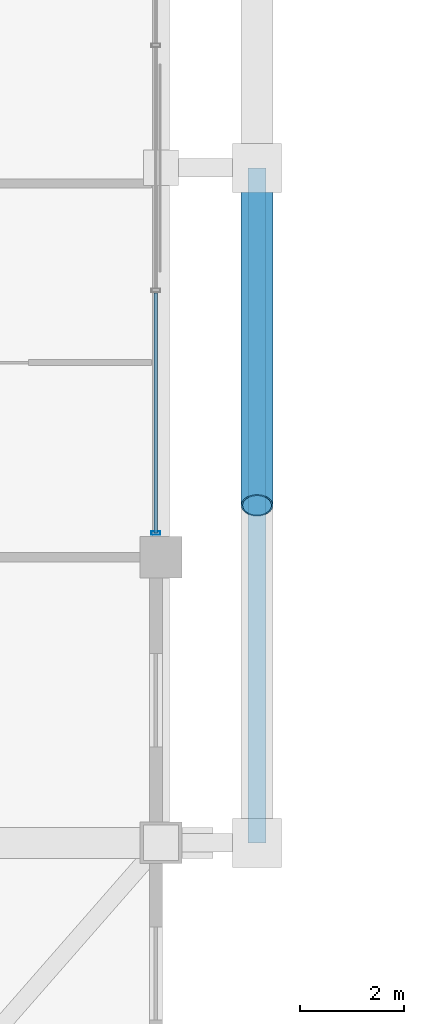
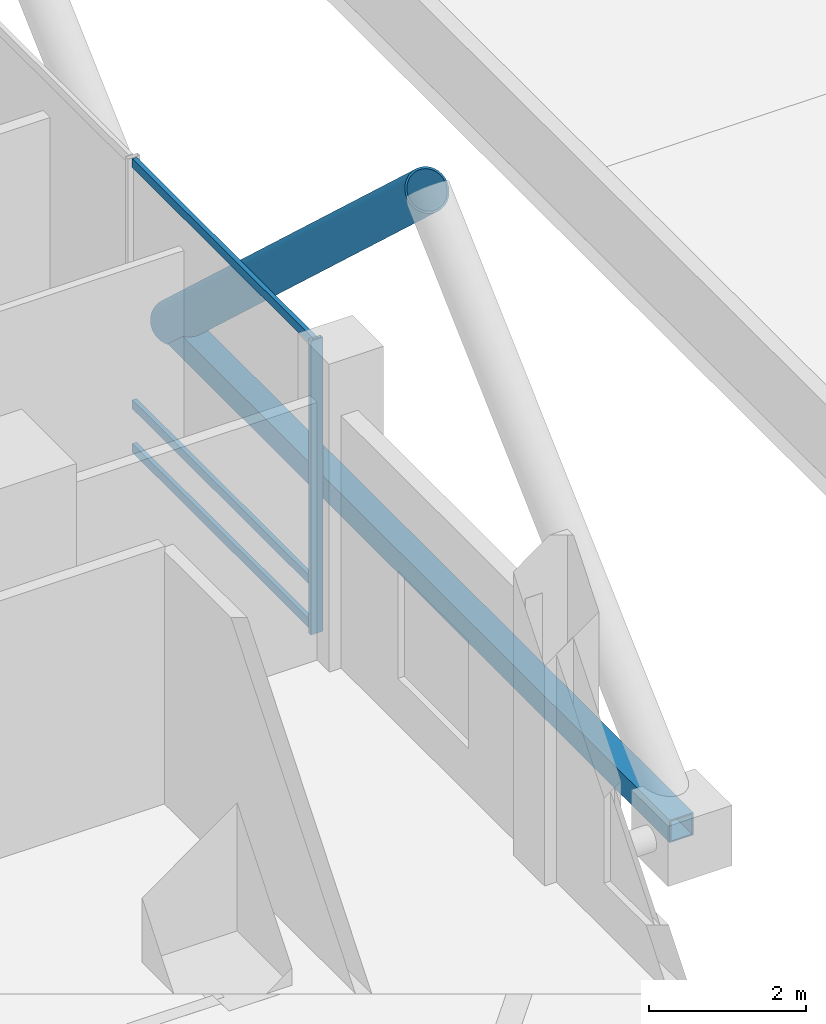
# One storey, part 10 of 33: 6 members, 1 element without a shape of its own.
"""IFC4 building model written with IfcOpenShell, lengths in metres."""

from ifc_helpers import new_model, si_unit, direction, frame, origin, origin_2d, place, context, subcontext, project, spatial, hollow_rectangle, hollow_circle, extrude, material, layer, layer_set, material_profile, profile_set, type_object, element, aggregate, save


model = new_model("IFC4")

# Units and contexts
model_context = context("Model", 3, precision=1e-05, world=origin(), true_north=direction((0.0, 1.0)))
body_context = subcontext(model_context, "Body", "Model", "MODEL_VIEW")
ifc_project = project(units=[si_unit("LENGTHUNIT", "METRE"), si_unit("AREAUNIT", "SQUARE_METRE"), si_unit("VOLUMEUNIT", "CUBIC_METRE"), si_unit("PLANEANGLEUNIT", "RADIAN"), si_unit("MASSUNIT", "GRAM", prefix="KILO")], contexts=[model_context])

# Site, building, storey
site_placement = place(None, origin())
site = spatial("IfcSite", under=ifc_project, at=site_placement, CompositionType="ELEMENT")
building_placement = place(site_placement, origin())
building = spatial("IfcBuilding", under=site, at=building_placement, Name="Barlavira Tower and Art Museum", CompositionType="ELEMENT")
storey_placement = place(building_placement, frame((0.0, 0.0, 27.60009765625)))
storey = spatial("IfcBuildingStorey", under=building, at=storey_placement, Name="L05", CompositionType="ELEMENT", Elevation=27.60009765625)

# Curtain wall, members
ifc_material_1 = material(Name="Low-iron coastal laminated glass", Category="glass")
ifc_layer = layer(ifc_material_1, 0.179931640625, Name="Low-iron coastal laminated glass")
ifc_layer_set = layer_set([ifc_layer], Name="Low-iron coastal laminated glass")
curtain_wall_type = type_object("IfcCurtainWallType", Name="Pale-Metal Unitised Curtain Wall Zone 1", PredefinedType="NOTDEFINED", material=ifc_layer_set)
curtain_wall_placement = place(storey_placement, origin())
curtain_wall = element("IfcCurtainWall", 1, at=curtain_wall_placement, inside=storey, type_object=curtain_wall_type, Name="L05 Curtain Wall CW1-L05-E-B3", PredefinedType="NOTDEFINED")
ifc_material_2 = material(Name="Pale anodised aluminium", Category="aluminium")
ifc_material_profile_1 = material_profile(ifc_material_2, hollow_rectangle(XDim=0.06494140625, YDim=0.179931640625, WallThickness=0.00390625, at=origin_2d()), Name="ALU-MULL 65x180x4")
ifc_profile_set_1 = profile_set([ifc_material_profile_1], Name="Pale anodised aluminium")
member_type_1 = type_object("IfcMemberType", Name="Curtain Wall Pale-Metal Mullion 65x180", PredefinedType="MULLION", material=ifc_profile_set_1)
member_1_placement = place(storey_placement, frame((21.89990234375, -7.034912109375, 0.0), z_axis=(0.0, 0.0, 1.0), x_axis=(0.0, 1.0, 0.0)))
member_1 = element("IfcMember", 2, at=member_1_placement, type_object=member_type_1, Name="CW1-L05-E-B3 Mullion 0", PredefinedType="MULLION", context=body_context, shape_type="SweptSolid", body=[
    extrude(hollow_rectangle(XDim=0.06494140625, YDim=0.179931640625, WallThickness=0.00390625, at=origin_2d()), origin(), (0.0, 0.0, 1.0), 4.579833984375),
])
ifc_material_profile_2 = material_profile(ifc_material_2, hollow_rectangle(XDim=0.06494140625, YDim=0.139892578125, WallThickness=0.00390625, at=origin_2d()), Name="ALU-TRAN 65x140x4")
ifc_profile_set_2 = profile_set([ifc_material_profile_2], Name="Pale anodised aluminium")
member_type_2 = type_object("IfcMemberType", Name="Curtain Wall Pale-Metal Transom 65x140", PredefinedType="USERDEFINED", material=ifc_profile_set_2)
member_2_placement = place(storey_placement, frame((21.89990234375, -7.034912109375, 0.06982421875), z_axis=(0.0, 1.0, 0.0), x_axis=(-1.0, 0.0, 0.0)))
member_2 = element("IfcMember", 3, at=member_2_placement, type_object=member_type_2, Name="CW1-L05-E-B3 Transom 0.1", ObjectType="TRANSOM", PredefinedType="USERDEFINED", context=body_context, shape_type="SweptSolid", body=[
    extrude(hollow_rectangle(XDim=0.06494140625, YDim=0.139892578125, WallThickness=0.00390625, at=origin_2d()), origin(), (0.0, 0.0, 1.0), 4.6298828125),
])
member_3_placement = place(storey_placement, frame((21.89990234375, -7.034912109375, 0.75), z_axis=(0.0, 1.0, 0.0), x_axis=(-1.0, 0.0, 0.0)))
member_3 = element("IfcMember", 4, at=member_3_placement, type_object=member_type_2, Name="CW1-L05-E-B3 Transom 0.2", ObjectType="TRANSOM", PredefinedType="USERDEFINED", context=body_context, shape_type="SweptSolid", body=[
    extrude(hollow_rectangle(XDim=0.06494140625, YDim=0.139892578125, WallThickness=0.00390625, at=origin_2d()), origin(), (0.0, 0.0, 1.0), 4.6298828125),
])
member_4_placement = place(storey_placement, frame((21.89990234375, -7.034912109375, 4.510009765625), z_axis=(0.0, 1.0, 0.0), x_axis=(-1.0, 0.0, 0.0)))
member_4 = element("IfcMember", 5, at=member_4_placement, type_object=member_type_2, Name="CW1-L05-E-B3 Transom 0.3", ObjectType="TRANSOM", PredefinedType="USERDEFINED", context=body_context, shape_type="SweptSolid", body=[
    extrude(hollow_rectangle(XDim=0.06494140625, YDim=0.139892578125, WallThickness=0.00390625, at=origin_2d()), origin(), (0.0, 0.0, 1.0), 4.6298828125),
])
aggregate(curtain_wall, [member_1, member_2, member_3, member_4])

# Members
ifc_material_3 = material(Name="Steel S355", Category="steel")
ifc_material_profile_3 = material_profile(ifc_material_3, hollow_circle(Radius=0.304931640625, WallThickness=0.028076171875, at=origin_2d()), Name="CHS 610.0x28.0")
ifc_profile_set_3 = profile_set([ifc_material_profile_3], Name="Steel S355")
member_type_3 = type_object("IfcMemberType", Name="Pale-Metal Exoskeleton Diagrid Tube CHS 610x28 Steel S355", PredefinedType="BRACE", material=ifc_profile_set_3)
member_5_placement = place(storey_placement, frame((23.85009765625, 0.0, -0.1201171875), z_axis=(0.0, -0.734803444627, 0.678280102733), x_axis=(1.0, 0.0, 0.0)))
element("IfcMember", 6, at=member_5_placement, inside=storey, type_object=member_type_3, Name="L05 Exoskeleton Diagrid Tube E", PredefinedType="BRACE", context=body_context, shape_type="SweptSolid", body=[
    extrude(hollow_circle(Radius=0.304931640625, WallThickness=0.028076171875, at=origin_2d()), origin(), (0.0, 0.0, 1.0), 8.845947265625),
])
ifc_material_profile_4 = material_profile(ifc_material_3, hollow_rectangle(XDim=0.35009765625, YDim=0.35009765625, WallThickness=0.02001953125, at=origin_2d()), Name="SHS 350x350x20.0")
ifc_profile_set_4 = profile_set([ifc_material_profile_4], Name="Steel S355")
member_type_4 = type_object("IfcMemberType", Name="Pale-Metal Exoskeleton Ring Strut SHS 350x350x20 Steel S355", PredefinedType="STRUT", material=ifc_profile_set_4)
member_6_placement = place(storey_placement, frame((23.85009765625, -13.0, -0.1201171875), z_axis=(0.0, 1.0, 0.0), x_axis=(-1.0, 0.0, 0.0)))
element("IfcMember", 7, at=member_6_placement, inside=storey, type_object=member_type_4, Name="L05 Exoskeleton Ring Strut E", PredefinedType="STRUT", context=body_context, shape_type="SweptSolid", body=[
    extrude(hollow_rectangle(XDim=0.35009765625, YDim=0.35009765625, WallThickness=0.02001953125, at=origin_2d()), origin(), (0.0, 0.0, 1.0), 13.0),
])

save(model, "model.ifc")
